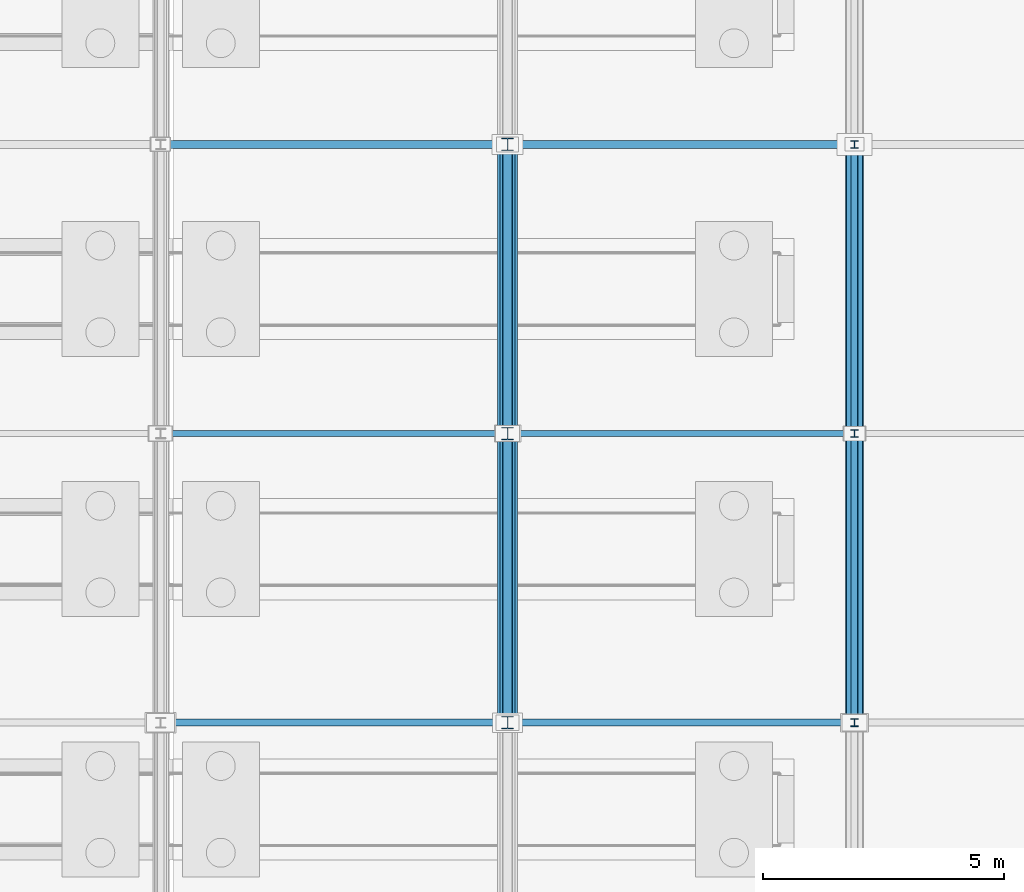
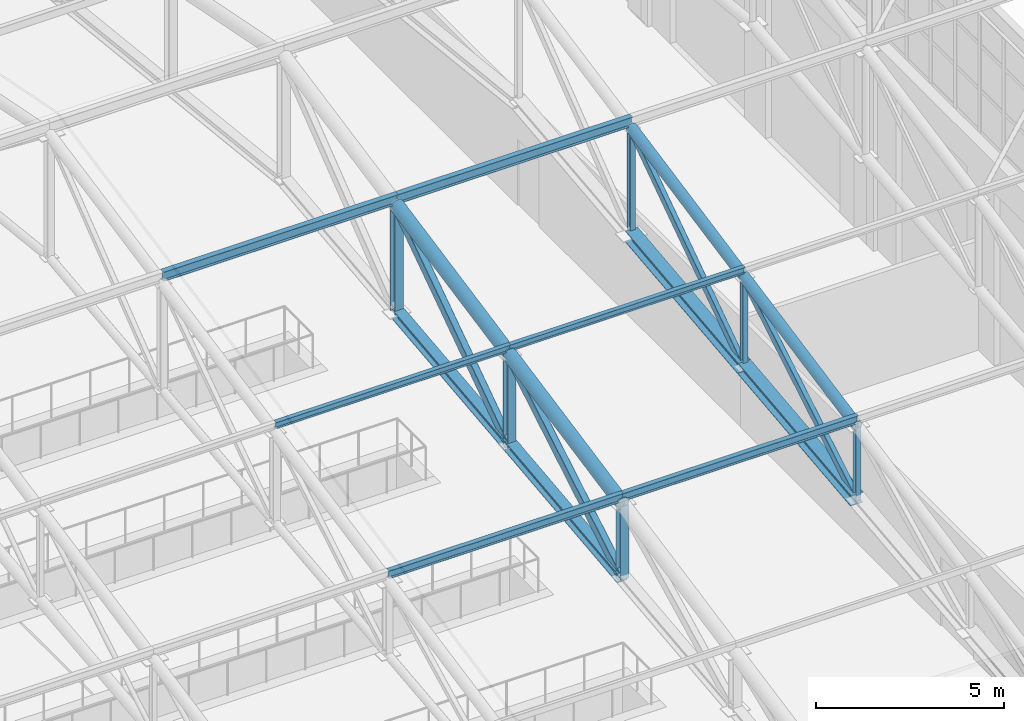
# One storey, part 183 of 293: 24 members.
"""IFC4 building model written with IfcOpenShell, lengths in metres."""

from ifc_helpers import new_model, si_unit, direction, frame, origin, origin_2d, place, context, subcontext, project, spatial, hollow_rectangle, hollow_circle, i_section, extrude, material, material_profile, profile_set, type_object, element, save


model = new_model("IFC4")

# Units and contexts
model_context = context("Model", 3, precision=1e-05, world=origin(), true_north=direction((0.0, 1.0)))
body_context = subcontext(model_context, "Body", "Model", "MODEL_VIEW")
ifc_project = project(units=[si_unit("LENGTHUNIT", "METRE"), si_unit("AREAUNIT", "SQUARE_METRE"), si_unit("VOLUMEUNIT", "CUBIC_METRE"), si_unit("PLANEANGLEUNIT", "RADIAN"), si_unit("MASSUNIT", "GRAM", prefix="KILO")], contexts=[model_context])

# Site, building, storey
site_placement = place(None, origin())
site = spatial("IfcSite", under=ifc_project, at=site_placement, CompositionType="ELEMENT")
building_placement = place(site_placement, origin())
building = spatial("IfcBuilding", under=site, at=building_placement, Name="Kemerveld Promenade Tramway Depot", CompositionType="ELEMENT")
storey_placement = place(building_placement, origin())
storey = spatial("IfcBuildingStorey", under=building, at=storey_placement, Name="L00", CompositionType="ELEMENT", Elevation=0.0)

# Members
ifc_material = material(Name="Steel S355", Category="steel")
ifc_material_profile_1 = material_profile(ifc_material, hollow_rectangle(XDim=0.199951171875, YDim=0.300048828125, WallThickness=0.012451171875, InnerFilletRadius=0.00634765625, OuterFilletRadius=0.018798828125, at=origin_2d()), Name="300x200x12.5 RHS")
ifc_profile_set_1 = profile_set([ifc_material_profile_1], Name="Steel S355")
member_type_1 = type_object("IfcMemberType", Name="MB-M01", PredefinedType="BRACE", material=ifc_profile_set_1)
member_1_placement = place(storey_placement, frame((165.60009765625, 96.0, 11.1201171875), z_axis=(0.0, 0.8587636701, 0.512371895128), x_axis=(-1.0, 0.0, 0.0)))
element("IfcMember", 1, at=member_1_placement, inside=storey, type_object=member_type_1, Name="TR-24-DG-03", PredefinedType="BRACE", context=body_context, shape_type="SweptSolid", body=[
    extrude(hollow_rectangle(XDim=0.199951171875, YDim=0.300048828125, WallThickness=0.012451171875, InnerFilletRadius=0.00634765625, OuterFilletRadius=0.018798828125, at=origin_2d()), origin(), (0.0, 0.0, 1.0), 6.98681640625),
])
member_2_placement = place(storey_placement, frame((165.60009765625, 102.0, 11.780029296875), z_axis=(0.0, 0.824370638462, 0.566050395673), x_axis=(-1.0, 0.0, 0.0)))
element("IfcMember", 2, at=member_2_placement, inside=storey, type_object=member_type_1, Name="TR-24-DG-04", PredefinedType="BRACE", context=body_context, shape_type="SweptSolid", body=[
    extrude(hollow_rectangle(XDim=0.199951171875, YDim=0.300048828125, WallThickness=0.012451171875, InnerFilletRadius=0.00634765625, OuterFilletRadius=0.018798828125, at=origin_2d()), origin(), (0.0, 0.0, 1.0), 7.2783203125),
])
ifc_material_profile_2 = material_profile(ifc_material, hollow_rectangle(XDim=0.14990234375, YDim=0.25, WallThickness=0.010009765625, InnerFilletRadius=0.0048828125, OuterFilletRadius=0.014892578125, at=origin_2d()), Name="250x150x10.0 RHS")
ifc_profile_set_2 = profile_set([ifc_material_profile_2], Name="Steel S355")
member_type_2 = type_object("IfcMemberType", Name="MB-M02", PredefinedType="BRACE", material=ifc_profile_set_2)
member_3_placement = place(storey_placement, frame((172.800048828125, 96.0, 11.1201171875), z_axis=(0.0, 0.8587636701, 0.512371895128), x_axis=(-1.0, 0.0, 0.0)))
element("IfcMember", 3, at=member_3_placement, inside=storey, type_object=member_type_2, Name="TR-25-DG-03", PredefinedType="BRACE", context=body_context, shape_type="SweptSolid", body=[
    extrude(hollow_rectangle(XDim=0.14990234375, YDim=0.25, WallThickness=0.010009765625, InnerFilletRadius=0.0048828125, OuterFilletRadius=0.014892578125, at=origin_2d()), origin(), (0.0, 0.0, 1.0), 6.98681640625),
])
member_4_placement = place(storey_placement, frame((172.800048828125, 102.0, 11.780029296875), z_axis=(0.0, 0.824370638462, 0.566050395673), x_axis=(-1.0, 0.0, 0.0)))
element("IfcMember", 4, at=member_4_placement, inside=storey, type_object=member_type_2, Name="TR-25-DG-04", PredefinedType="BRACE", context=body_context, shape_type="SweptSolid", body=[
    extrude(hollow_rectangle(XDim=0.14990234375, YDim=0.25, WallThickness=0.010009765625, InnerFilletRadius=0.0048828125, OuterFilletRadius=0.014892578125, at=origin_2d()), origin(), (0.0, 0.0, 1.0), 7.2783203125),
])
ifc_material_profile_3 = material_profile(ifc_material, i_section(OverallWidth=0.25634765625, OverallDepth=0.26025390625, WebThickness=0.01025390625, FlangeThickness=0.017333984375, FilletRadius=0.0126953125, at=origin_2d()), Name="254x254x89 UC")
ifc_profile_set_3 = profile_set([ifc_material_profile_3], Name="Steel S355")
member_type_3 = type_object("IfcMemberType", Name="MB-M04", PredefinedType="POST", material=ifc_profile_set_3)
member_5_placement = place(storey_placement, frame((165.60009765625, 96.0, 11.1201171875), z_axis=(0.0, 0.0, 1.0), x_axis=(1.0, 0.0, 0.0)))
element("IfcMember", 5, at=member_5_placement, inside=storey, type_object=member_type_3, Name="TR-24-VT-02", PredefinedType="POST", context=body_context, shape_type="SweptSolid", body=[
    extrude(i_section(OverallWidth=0.25634765625, OverallDepth=0.26025390625, WebThickness=0.01025390625, FlangeThickness=0.017333984375, FilletRadius=0.0126953125, at=origin_2d()), origin(), (0.0, 0.0, 1.0), 2.3798828125),
])
member_6_placement = place(storey_placement, frame((165.60009765625, 102.0, 11.780029296875), z_axis=(0.0, 0.0, 1.0), x_axis=(1.0, 0.0, 0.0)))
element("IfcMember", 6, at=member_6_placement, inside=storey, type_object=member_type_3, Name="TR-24-VT-03", PredefinedType="POST", context=body_context, shape_type="SweptSolid", body=[
    extrude(i_section(OverallWidth=0.25634765625, OverallDepth=0.26025390625, WebThickness=0.01025390625, FlangeThickness=0.017333984375, FilletRadius=0.0126953125, at=origin_2d()), origin(), (0.0, 0.0, 1.0), 2.919921875),
])
member_7_placement = place(storey_placement, frame((165.60009765625, 108.0, 12.43994140625), z_axis=(0.0, 0.0, 1.0), x_axis=(1.0, 0.0, 0.0)))
element("IfcMember", 7, at=member_7_placement, inside=storey, type_object=member_type_3, Name="TR-24-VT-04", PredefinedType="POST", context=body_context, shape_type="SweptSolid", body=[
    extrude(i_section(OverallWidth=0.25634765625, OverallDepth=0.26025390625, WebThickness=0.01025390625, FlangeThickness=0.017333984375, FilletRadius=0.0126953125, at=origin_2d()), origin(), (0.0, 0.0, 1.0), 3.4599609375),
])
ifc_material_profile_4 = material_profile(ifc_material, i_section(OverallWidth=0.154296875, OverallDepth=0.161865234375, WebThickness=0.008056640625, FlangeThickness=0.011474609375, FilletRadius=0.007568359375, at=origin_2d()), Name="152x152x37 UC")
ifc_profile_set_4 = profile_set([ifc_material_profile_4], Name="Steel S355")
member_type_4 = type_object("IfcMemberType", Name="MB-M05", PredefinedType="POST", material=ifc_profile_set_4)
member_8_placement = place(storey_placement, frame((172.800048828125, 96.0, 11.1201171875), z_axis=(0.0, 0.0, 1.0), x_axis=(1.0, 0.0, 0.0)))
element("IfcMember", 8, at=member_8_placement, inside=storey, type_object=member_type_4, Name="TR-25-VT-02", PredefinedType="POST", context=body_context, shape_type="SweptSolid", body=[
    extrude(i_section(OverallWidth=0.154296875, OverallDepth=0.161865234375, WebThickness=0.008056640625, FlangeThickness=0.011474609375, FilletRadius=0.007568359375, at=origin_2d()), origin(), (0.0, 0.0, 1.0), 2.3798828125),
])
member_9_placement = place(storey_placement, frame((172.800048828125, 102.0, 11.780029296875), z_axis=(0.0, 0.0, 1.0), x_axis=(1.0, 0.0, 0.0)))
element("IfcMember", 9, at=member_9_placement, inside=storey, type_object=member_type_4, Name="TR-25-VT-03", PredefinedType="POST", context=body_context, shape_type="SweptSolid", body=[
    extrude(i_section(OverallWidth=0.154296875, OverallDepth=0.161865234375, WebThickness=0.008056640625, FlangeThickness=0.011474609375, FilletRadius=0.007568359375, at=origin_2d()), origin(), (0.0, 0.0, 1.0), 2.919921875),
])
member_10_placement = place(storey_placement, frame((172.800048828125, 108.0, 12.43994140625), z_axis=(0.0, 0.0, 1.0), x_axis=(1.0, 0.0, 0.0)))
element("IfcMember", 10, at=member_10_placement, inside=storey, type_object=member_type_4, Name="TR-25-VT-04", PredefinedType="POST", context=body_context, shape_type="SweptSolid", body=[
    extrude(i_section(OverallWidth=0.154296875, OverallDepth=0.161865234375, WebThickness=0.008056640625, FlangeThickness=0.011474609375, FilletRadius=0.007568359375, at=origin_2d()), origin(), (0.0, 0.0, 1.0), 3.4599609375),
])
ifc_material_profile_5 = material_profile(ifc_material, i_section(OverallWidth=0.165771484375, OverallDepth=0.306640625, WebThickness=0.006591796875, FlangeThickness=0.01171875, FilletRadius=0.0087890625, at=origin_2d()), Name="305x165x46 UB")
ifc_profile_set_5 = profile_set([ifc_material_profile_5], Name="Steel S355")
member_type_5 = type_object("IfcMemberType", Name="MB-M06", PredefinedType="PURLIN", material=ifc_profile_set_5)
member_11_placement = place(storey_placement, frame((158.39990234375, 108.0, 16.14501953125), z_axis=(1.0, 0.0, 0.0), x_axis=(0.0, 1.0, 0.0)))
element("IfcMember", 11, at=member_11_placement, inside=storey, type_object=member_type_5, Name="PUR-V1-04-23", PredefinedType="PURLIN", context=body_context, shape_type="SweptSolid", body=[
    extrude(i_section(OverallWidth=0.165771484375, OverallDepth=0.306640625, WebThickness=0.006591796875, FlangeThickness=0.01171875, FilletRadius=0.0087890625, at=origin_2d()), origin(), (0.0, 0.0, 1.0), 7.2001953125),
])
member_12_placement = place(storey_placement, frame((165.60009765625, 108.0, 16.14501953125), z_axis=(1.0, 0.0, 0.0), x_axis=(0.0, 1.0, 0.0)))
element("IfcMember", 12, at=member_12_placement, inside=storey, type_object=member_type_5, Name="PUR-V1-04-24", PredefinedType="PURLIN", context=body_context, shape_type="SweptSolid", body=[
    extrude(i_section(OverallWidth=0.165771484375, OverallDepth=0.306640625, WebThickness=0.006591796875, FlangeThickness=0.01171875, FilletRadius=0.0087890625, at=origin_2d()), origin(), (0.0, 0.0, 1.0), 7.199951171875),
])
ifc_material_profile_6 = material_profile(ifc_material, i_section(OverallWidth=0.37255859375, OverallDepth=0.3681640625, WebThickness=0.014404296875, FlangeThickness=0.023681640625, FilletRadius=0.01513671875, at=origin_2d()), Name="356x368x177 UC")
ifc_profile_set_6 = profile_set([ifc_material_profile_6], Name="Steel S355")
member_type_6 = type_object("IfcMemberType", Name="MB-M08", PredefinedType="CHORD", material=ifc_profile_set_6)
for number, where, z_axis, x_axis, name in (
    (13, (172.800048828125, 96.0, 11.1201171875), (0.0, 0.994005938353, 0.109326092585), (-1.0, 0.0, 0.0), "TR-25-BC-03"),
    (14, (172.800048828125, 102.0, 11.780029296875), (0.0, 0.994005938353, 0.109326092585), (-1.0, 0.0, 0.0), "TR-25-BC-04"),
):
    element("IfcMember", number, at=place(storey_placement, frame(where, z_axis=z_axis, x_axis=x_axis)), inside=storey, type_object=member_type_6, Name=name, PredefinedType="CHORD", context=body_context, shape_type="SweptSolid", body=[
        extrude(i_section(OverallWidth=0.37255859375, OverallDepth=0.3681640625, WebThickness=0.014404296875, FlangeThickness=0.023681640625, FilletRadius=0.01513671875, at=origin_2d()), origin(), (0.0, 0.0, 1.0), 6.0361328125),
    ])
ifc_material_profile_7 = material_profile(ifc_material, i_section(OverallWidth=0.146484375, OverallDepth=0.256103515625, WebThickness=0.00634765625, FlangeThickness=0.010986328125, FilletRadius=0.007568359375, at=origin_2d()), Name="254x146x37 UB")
ifc_profile_set_7 = profile_set([ifc_material_profile_7], Name="Steel S355")
member_type_7 = type_object("IfcMemberType", Name="MB-PR3", PredefinedType="PURLIN", material=ifc_profile_set_7)
member_13_placement = place(storey_placement, frame((158.39990234375, 96.0, 13.7451171875), z_axis=(1.0, 0.0, 0.0), x_axis=(0.0, 1.0, 0.0)))
element("IfcMember", 15, at=member_13_placement, inside=storey, type_object=member_type_7, Name="PUR-V1-02-23", PredefinedType="PURLIN", context=body_context, shape_type="SweptSolid", body=[
    extrude(i_section(OverallWidth=0.146484375, OverallDepth=0.256103515625, WebThickness=0.00634765625, FlangeThickness=0.010986328125, FilletRadius=0.007568359375, at=origin_2d()), origin(), (0.0, 0.0, 1.0), 7.2001953125),
])
member_14_placement = place(storey_placement, frame((165.60009765625, 96.0, 13.7451171875), z_axis=(1.0, 0.0, 0.0), x_axis=(0.0, 1.0, 0.0)))
element("IfcMember", 16, at=member_14_placement, inside=storey, type_object=member_type_7, Name="PUR-V1-02-24", PredefinedType="PURLIN", context=body_context, shape_type="SweptSolid", body=[
    extrude(i_section(OverallWidth=0.146484375, OverallDepth=0.256103515625, WebThickness=0.00634765625, FlangeThickness=0.010986328125, FilletRadius=0.007568359375, at=origin_2d()), origin(), (0.0, 0.0, 1.0), 7.199951171875),
])
ifc_material_profile_8 = material_profile(ifc_material, i_section(OverallWidth=0.13330078125, OverallDepth=0.203125, WebThickness=0.005615234375, FlangeThickness=0.0078125, FilletRadius=0.007568359375, at=origin_2d()), Name="203x133x25 UB")
ifc_profile_set_8 = profile_set([ifc_material_profile_8], Name="Steel S355")
member_type_8 = type_object("IfcMemberType", Name="MB-PR4", PredefinedType="PURLIN", material=ifc_profile_set_8)
member_15_placement = place(storey_placement, frame((158.39990234375, 102.0, 14.945068359375), z_axis=(1.0, 0.0, 0.0), x_axis=(0.0, 1.0, 0.0)))
element("IfcMember", 17, at=member_15_placement, inside=storey, type_object=member_type_8, Name="PUR-V1-03-23", PredefinedType="PURLIN", context=body_context, shape_type="SweptSolid", body=[
    extrude(i_section(OverallWidth=0.13330078125, OverallDepth=0.203125, WebThickness=0.005615234375, FlangeThickness=0.0078125, FilletRadius=0.007568359375, at=origin_2d()), origin(), (0.0, 0.0, 1.0), 7.2001953125),
])
member_16_placement = place(storey_placement, frame((165.60009765625, 102.0, 14.945068359375), z_axis=(1.0, 0.0, 0.0), x_axis=(0.0, 1.0, 0.0)))
element("IfcMember", 18, at=member_16_placement, inside=storey, type_object=member_type_8, Name="PUR-V1-03-24", PredefinedType="PURLIN", context=body_context, shape_type="SweptSolid", body=[
    extrude(i_section(OverallWidth=0.13330078125, OverallDepth=0.203125, WebThickness=0.005615234375, FlangeThickness=0.0078125, FilletRadius=0.007568359375, at=origin_2d()), origin(), (0.0, 0.0, 1.0), 7.199951171875),
])
ifc_material_profile_9 = material_profile(ifc_material, hollow_circle(Radius=0.203125, WallThickness=0.01611328125, at=origin_2d()), Name="406.4x16.0 CHS")
ifc_profile_set_9 = profile_set([ifc_material_profile_9], Name="Steel S355")
member_type_9 = type_object("IfcMemberType", Name="MB-TC1", PredefinedType="CHORD", material=ifc_profile_set_9)
for number, where, z_axis, x_axis, name in (
    (19, (165.60009765625, 96.0, 13.5), (0.0, 0.980582210276, 0.196108462057), (-1.0, 0.0, 0.0), "TR-24-TC-03"),
    (20, (165.60009765625, 102.0, 14.699951171875), (0.0, 0.980582210276, 0.196108462057), (-1.0, 0.0, 0.0), "TR-24-TC-04"),
):
    element("IfcMember", number, at=place(storey_placement, frame(where, z_axis=z_axis, x_axis=x_axis)), inside=storey, type_object=member_type_9, Name=name, PredefinedType="CHORD", context=body_context, shape_type="SweptSolid", body=[
        extrude(hollow_circle(Radius=0.203125, WallThickness=0.01611328125, at=origin_2d()), origin(), (0.0, 0.0, 1.0), 6.118896484375),
    ])
ifc_material_profile_10 = material_profile(ifc_material, hollow_circle(Radius=0.161865234375, WallThickness=0.012451171875, at=origin_2d()), Name="323.9x12.5 CHS")
ifc_profile_set_10 = profile_set([ifc_material_profile_10], Name="Steel S355")
member_type_10 = type_object("IfcMemberType", Name="MB-TC2", PredefinedType="CHORD", material=ifc_profile_set_10)
for number, where, z_axis, x_axis, name in (
    (21, (172.800048828125, 96.0, 13.5), (0.0, 0.980582210276, 0.196108462057), (-1.0, 0.0, 0.0), "TR-25-TC-03"),
    (22, (172.800048828125, 102.0, 14.699951171875), (0.0, 0.980582210276, 0.196108462057), (-1.0, 0.0, 0.0), "TR-25-TC-04"),
):
    element("IfcMember", number, at=place(storey_placement, frame(where, z_axis=z_axis, x_axis=x_axis)), inside=storey, type_object=member_type_10, Name=name, PredefinedType="CHORD", context=body_context, shape_type="SweptSolid", body=[
        extrude(hollow_circle(Radius=0.161865234375, WallThickness=0.012451171875, at=origin_2d()), origin(), (0.0, 0.0, 1.0), 6.118896484375),
    ])
ifc_material_profile_11 = material_profile(ifc_material, i_section(OverallWidth=0.307373046875, OverallDepth=0.314453125, WebThickness=0.011962890625, FlangeThickness=0.018798828125, FilletRadius=0.01513671875, at=origin_2d()), Name="305x305x118 UC")
ifc_profile_set_11 = profile_set([ifc_material_profile_11], Name="Steel S355")
member_type_11 = type_object("IfcMemberType", Name="MB-TC4", PredefinedType="CHORD", material=ifc_profile_set_11)
for number, where, z_axis, x_axis, name in (
    (23, (165.60009765625, 96.0, 11.1201171875), (0.0, 0.994005938353, 0.109326092585), (-1.0, 0.0, 0.0), "TR-24-BC-03"),
    (24, (165.60009765625, 102.0, 11.780029296875), (0.0, 0.994005938353, 0.109326092585), (-1.0, 0.0, 0.0), "TR-24-BC-04"),
):
    element("IfcMember", number, at=place(storey_placement, frame(where, z_axis=z_axis, x_axis=x_axis)), inside=storey, type_object=member_type_11, Name=name, PredefinedType="CHORD", context=body_context, shape_type="SweptSolid", body=[
        extrude(i_section(OverallWidth=0.307373046875, OverallDepth=0.314453125, WebThickness=0.011962890625, FlangeThickness=0.018798828125, FilletRadius=0.01513671875, at=origin_2d()), origin(), (0.0, 0.0, 1.0), 6.0361328125),
    ])

save(model, "model.ifc")
